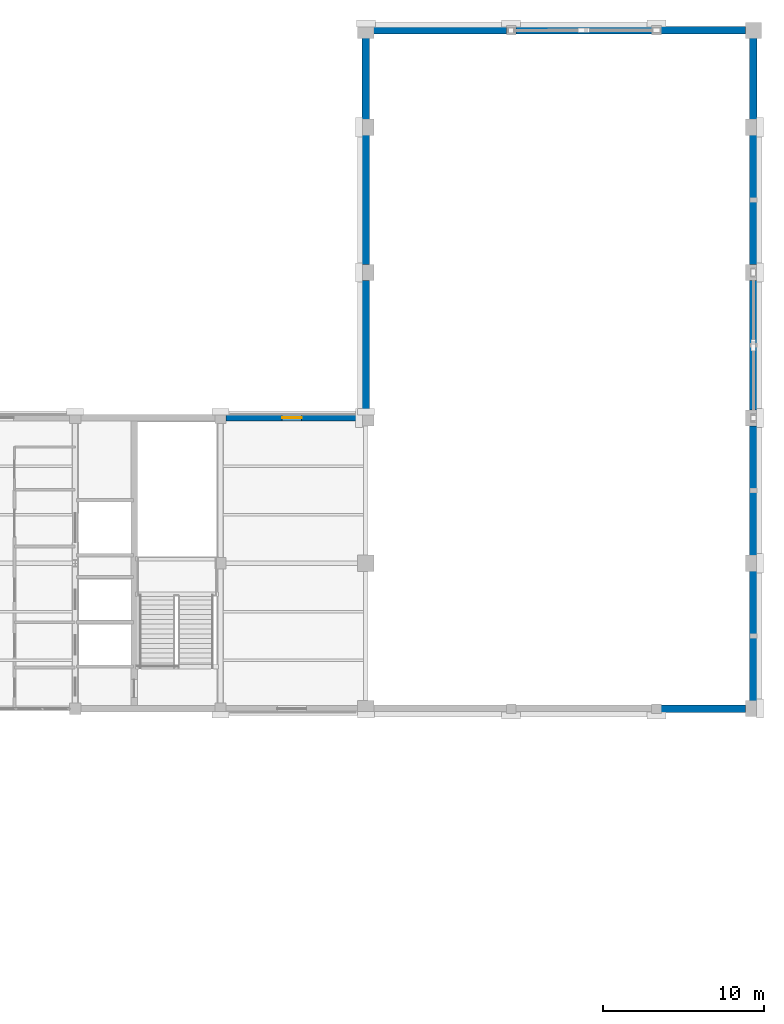
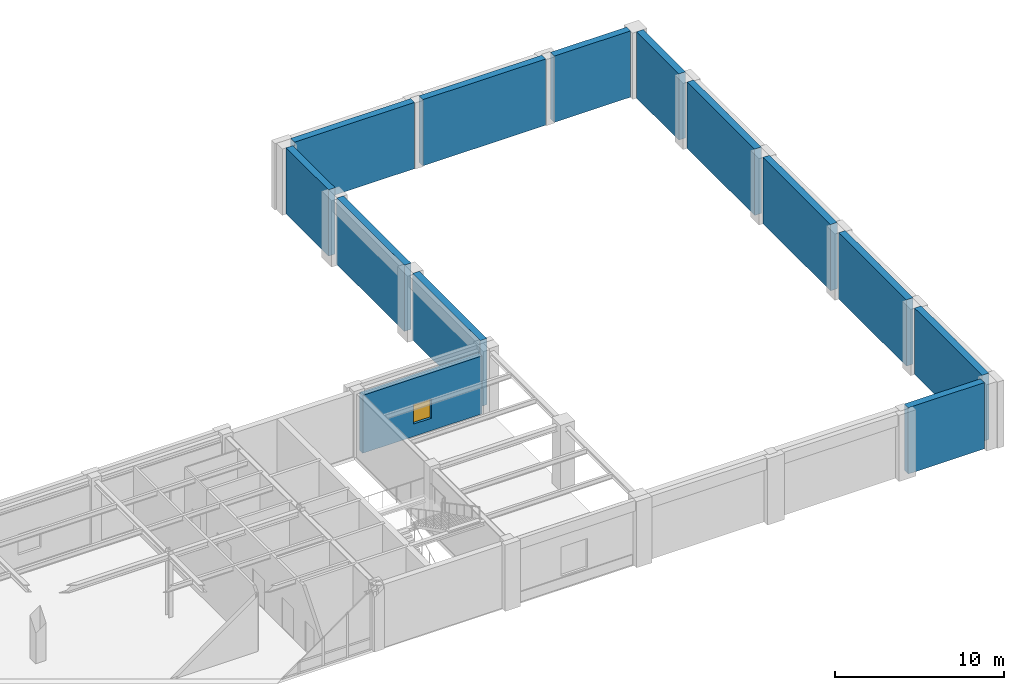
# One storey, part 86 of 92: 13 walls, 1 window, 1 opening.
"""IFC4 building model written with IfcOpenShell, lengths in metres."""

from ifc_helpers import new_model, si_unit, direction, frame, frame_2d, origin, place, context, subcontext, project, spatial, rectangle, extrude, material, layer, layer_set, type_object, element, fill, save


model = new_model("IFC4")

# Units and contexts
model_context = context("Model", 3, precision=1e-05, world=origin(), true_north=direction((0.0, 1.0)))
body_context = subcontext(model_context, "Body", "Model", "MODEL_VIEW")
ifc_project = project(units=[si_unit("LENGTHUNIT", "METRE"), si_unit("AREAUNIT", "SQUARE_METRE"), si_unit("VOLUMEUNIT", "CUBIC_METRE"), si_unit("PLANEANGLEUNIT", "RADIAN"), si_unit("MASSUNIT", "GRAM", prefix="KILO")], contexts=[model_context])

# Site, building, storey
site_placement = place(None, origin())
site = spatial("IfcSite", under=ifc_project, at=site_placement, CompositionType="ELEMENT")
building_placement = place(site_placement, origin())
building = spatial("IfcBuilding", under=site, at=building_placement, Name="Lykobir Media Centre", CompositionType="ELEMENT")
storey_placement = place(building_placement, frame((0.0, 0.0, 5.39990234375)))
storey = spatial("IfcBuildingStorey", under=building, at=storey_placement, Name="L01", CompositionType="ELEMENT", Elevation=5.39990234375)

# Walls
ifc_material_1 = material(Name="Concrete C35/45", Category="concrete")
ifc_layer_1 = layer(ifc_material_1, 0.4599609375, Name="Concrete C35/45")
ifc_layer_set_1 = layer_set([ifc_layer_1], Name="Concrete C35/45")
wall_type_1 = type_object("IfcWallType", Name="EW-ACO-460", PredefinedType="STANDARD", material=ifc_layer_set_1)
wall_1_placement = place(storey_placement, frame((162.284912109375, 72.0, 0.0), z_axis=(0.0, 0.0, 1.0), x_axis=(1.0, 0.0, 0.0)))
element("IfcWall", 1, at=wall_1_placement, inside=storey, type_object=wall_type_1, Name="Exterior wall WALL-L01-0157", PredefinedType="STANDARD", context=body_context, shape_type="SweptSolid", body=[
    extrude(rectangle(XDim=5.22998046875, YDim=0.4599609375, at=frame_2d((2.614990234375, 0.0))), origin(), (0.0, 0.0, 1.0), 4.800048828125),
])
for number, where, z_axis, x_axis, name in (
    (2, (168.0, 72.485107421875, 0.0), (0.0, 0.0, 1.0), (0.0, 1.0, 0.0), "Exterior wall WALL-L01-0158"),
    (3, (168.0, 81.485107421875, 0.0), (0.0, 0.0, 1.0), (0.0, 1.0, 0.0), "Exterior wall WALL-L01-0159"),
    (4, (168.0, 90.485107421875, 0.0), (0.0, 0.0, 1.0), (0.0, 1.0, 0.0), "Exterior wall WALL-L01-0160"),
    (5, (168.0, 99.485107421875, 0.0), (0.0, 0.0, 1.0), (0.0, 1.0, 0.0), "Exterior wall WALL-L01-0161"),
):
    element("IfcWall", number, at=place(storey_placement, frame(where, z_axis=z_axis, x_axis=x_axis)), inside=storey, type_object=wall_type_1, Name=name, PredefinedType="STANDARD", context=body_context, shape_type="SweptSolid", body=[
        extrude(rectangle(XDim=8.02978515625, YDim=0.4599609375, at=frame_2d((4.014892578125, 0.0))), origin(), (0.0, 0.0, 1.0), 4.800048828125),
    ])
wall_2_placement = place(storey_placement, frame((168.0, 108.485107421875, 0.0), z_axis=(0.0, 0.0, 1.0), x_axis=(0.0, 1.0, 0.0)))
element("IfcWall", 6, at=wall_2_placement, inside=storey, type_object=wall_type_1, Name="Exterior wall WALL-L01-0162", PredefinedType="STANDARD", context=body_context, shape_type="SweptSolid", body=[
    extrude(rectangle(XDim=5.02978515625, YDim=0.4599609375, at=frame_2d((2.514892578125, 0.0))), origin(), (0.0, 0.0, 1.0), 4.800048828125),
])
wall_3_placement = place(storey_placement, frame((152.715087890625, 114.0, 0.0), z_axis=(0.0, 0.0, 1.0), x_axis=(-1.0, 0.0, 0.0)))
element("IfcWall", 7, at=wall_3_placement, inside=storey, type_object=wall_type_1, Name="Exterior wall WALL-L01-0163", PredefinedType="STANDARD", context=body_context, shape_type="SweptSolid", body=[
    extrude(rectangle(XDim=8.22998046875, YDim=0.4599609375, at=frame_2d((4.114990234375, 0.0))), origin(), (0.0, 0.0, 1.0), 4.800048828125),
])
wall_4_placement = place(storey_placement, frame((161.715087890625, 114.0, 0.0), z_axis=(0.0, 0.0, 1.0), x_axis=(-1.0, 0.0, 0.0)))
element("IfcWall", 8, at=wall_4_placement, inside=storey, type_object=wall_type_1, Name="Exterior wall WALL-L01-0164", PredefinedType="STANDARD", context=body_context, shape_type="SweptSolid", body=[
    extrude(rectangle(XDim=8.43017578125, YDim=0.4599609375, at=frame_2d((4.215087890625, 0.0))), origin(), (0.0, 0.0, 1.0), 4.800048828125),
])
wall_5_placement = place(storey_placement, frame((167.514892578125, 114.0, 0.0), z_axis=(0.0, 0.0, 1.0), x_axis=(-1.0, 0.0, 0.0)))
element("IfcWall", 9, at=wall_5_placement, inside=storey, type_object=wall_type_1, Name="Exterior wall WALL-L01-0165", PredefinedType="STANDARD", context=body_context, shape_type="SweptSolid", body=[
    extrude(rectangle(XDim=5.22998046875, YDim=0.4599609375, at=frame_2d((2.614990234375, 0.0))), origin(), (0.0, 0.0, 1.0), 4.800048828125),
])
for number, where, z_axis, x_axis, name in (
    (10, (144.0, 98.514892578125, 0.0), (0.0, 0.0, 1.0), (0.0, -1.0, 0.0), "Exterior wall WALL-L01-0166"),
    (11, (144.0, 107.514892578125, 0.0), (0.0, 0.0, 1.0), (0.0, -1.0, 0.0), "Exterior wall WALL-L01-0167"),
):
    element("IfcWall", number, at=place(storey_placement, frame(where, z_axis=z_axis, x_axis=x_axis)), inside=storey, type_object=wall_type_1, Name=name, PredefinedType="STANDARD", context=body_context, shape_type="SweptSolid", body=[
        extrude(rectangle(XDim=8.02978515625, YDim=0.4599609375, at=frame_2d((4.014892578125, 0.0))), origin(), (0.0, 0.0, 1.0), 4.800048828125),
    ])
wall_6_placement = place(storey_placement, frame((144.0, 113.514892578125, 0.0), z_axis=(0.0, 0.0, 1.0), x_axis=(0.0, -1.0, 0.0)))
element("IfcWall", 12, at=wall_6_placement, inside=storey, type_object=wall_type_1, Name="Exterior wall WALL-L01-0168", PredefinedType="STANDARD", context=body_context, shape_type="SweptSolid", body=[
    extrude(rectangle(XDim=5.02978515625, YDim=0.4599609375, at=frame_2d((2.514892578125, 0.0))), origin(), (0.0, 0.0, 1.0), 4.800048828125),
])

# Wall, opening, window
ifc_material_2 = material(Name="Honed Travertine Stone", Category="masonry")
ifc_layer_2 = layer(ifc_material_2, 0.389892578125, Name="Honed Travertine Stone")
ifc_layer_set_2 = layer_set([ifc_layer_2], Name="Honed Travertine Stone")
wall_type_2 = type_object("IfcWallType", Name="EW-TRAV-390", PredefinedType="STANDARD", material=ifc_layer_set_2)
wall_7_placement = place(storey_placement, frame((143.514892578125, 90.0, 0.0), z_axis=(0.0, 0.0, 1.0), x_axis=(-1.0, 0.0, 0.0)))
wall_7 = element("IfcWall", 13, at=wall_7_placement, inside=storey, type_object=wall_type_2, Name="Exterior wall WALL-L01-0172", PredefinedType="STANDARD", context=body_context, shape_type="SweptSolid", body=[
    extrude(rectangle(XDim=8.179931640625, YDim=0.389892578125, at=frame_2d((4.08984375, 0.0))), origin(), (0.0, 0.0, 1.0), 4.195068359375),
])
opening_placement = place(wall_7_placement, frame((3.489990234375, 0.0, 0.89990234375)))
opening = element("IfcOpeningElement", 14, at=opening_placement, cuts=wall_7, Name="Opening WN-1200x1400", PredefinedType="OPENING", context=body_context, shape_type="SweptSolid", body=[
    extrude(rectangle(XDim=1.199951171875, YDim=1.39990234375, at=frame_2d((0.60009765625, 0.699951171875))), frame((0.0, 0.204833984375, 0.0), z_axis=(0.0, -1.0, 0.0), x_axis=(1.0, 0.0, 0.0)), (0.0, 0.0, 1.0), 0.409912109375),
])
ifc_material_3 = material(Name="Low-E Laminated Triple Glazing", Category="glass")
window_type = type_object("IfcWindowType", Name="WN-1200x1400", PartitioningType="SINGLE_PANEL", PredefinedType="WINDOW", material=ifc_material_3)
window_placement = place(opening_placement, origin())
window = element("IfcWindow", 15, at=window_placement, inside=storey, type_object=window_type, Name="Window WIN-L01-0047", OverallHeight=1.39990234375, OverallWidth=1.199951171875, PartitioningType="SINGLE_PANEL", PredefinedType="WINDOW", context=body_context, shape_type="SweptSolid", body=[
    extrude(rectangle(XDim=1.199951171875, YDim=1.39990234375, at=frame_2d((0.60009765625, 0.699951171875))), frame((0.0, 0.030029296875, 0.0), z_axis=(0.0, -1.0, 0.0), x_axis=(1.0, 0.0, 0.0)), (0.0, 0.0, 1.0), 0.06005859375),
])
fill(opening, window)

save(model, "model.ifc")
